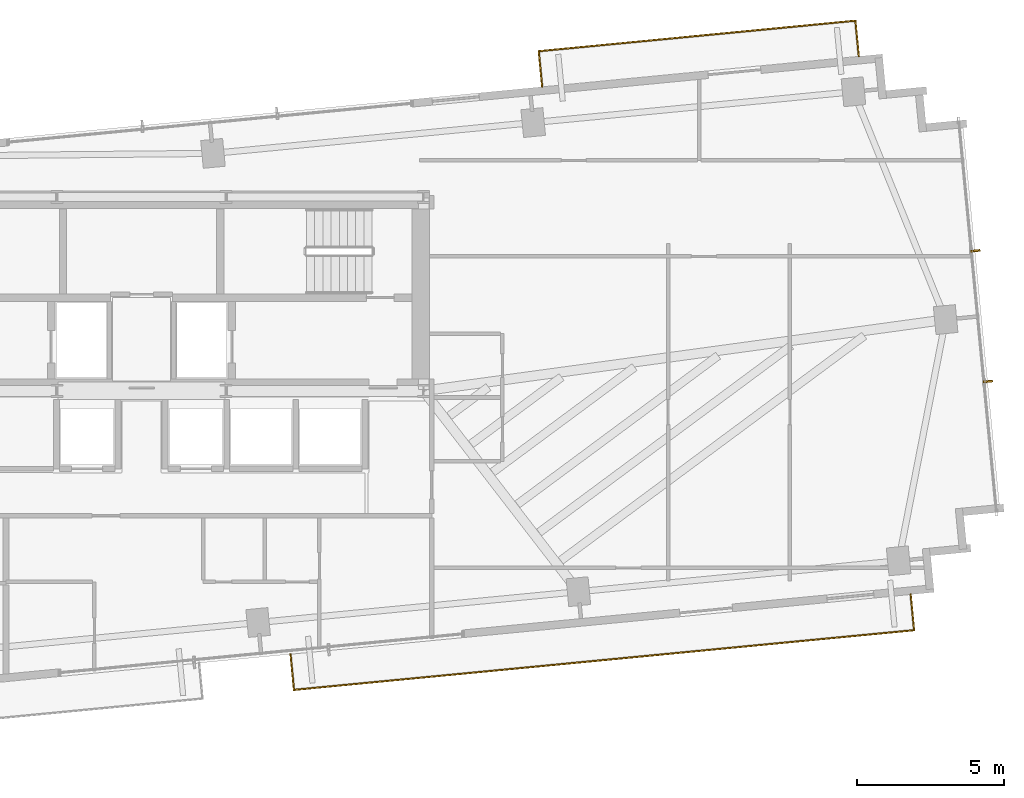
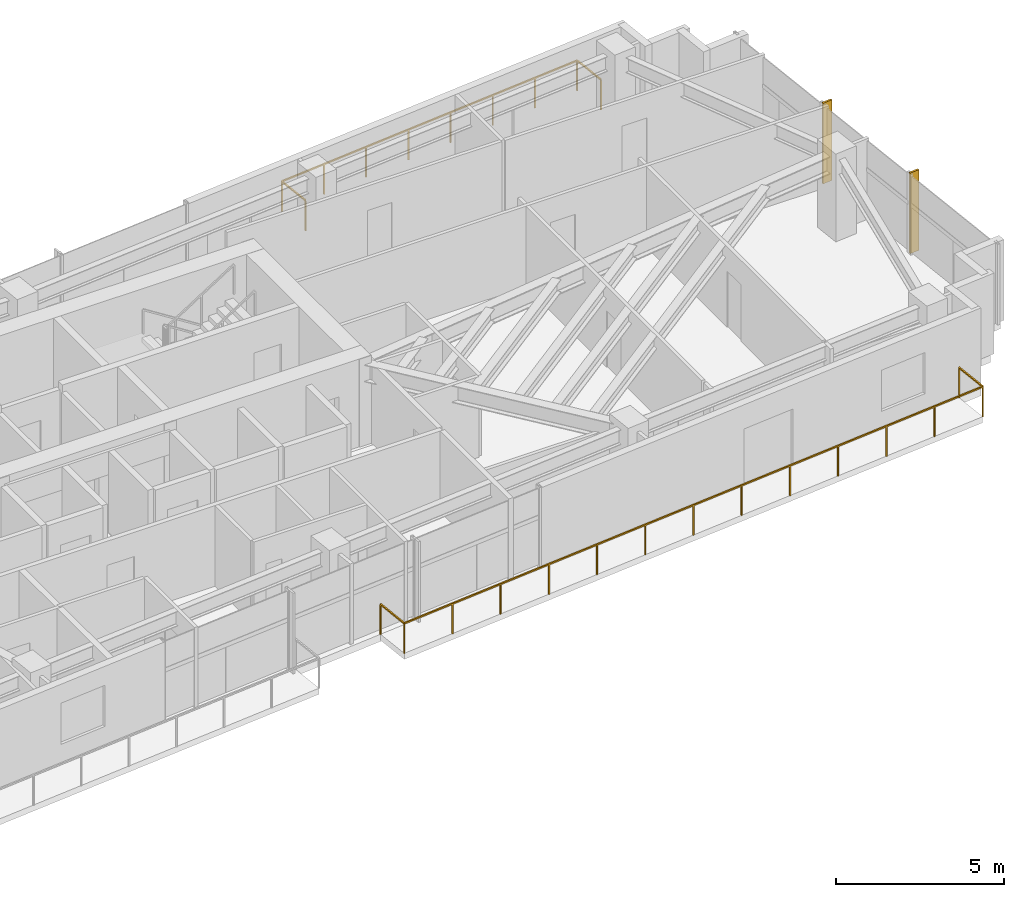
# One storey, part 18 of 18: 2 railings, 2 shading devices.
"""IFC4 building model written with IfcOpenShell, lengths in metres."""

from ifc_helpers import new_model, si_unit, direction, frame, origin, origin_2d, place, context, subcontext, project, spatial, rectangle, extrude, source, transform, mapped, material, type_object, type_shapes, element, save


model = new_model("IFC4")

# Units and contexts
model_context = context("Model", 3, precision=1e-05, world=origin(), true_north=direction((0.0, 1.0)))
body_context = subcontext(model_context, "Body", "Model", "MODEL_VIEW")
ifc_project = project(units=[si_unit("LENGTHUNIT", "METRE"), si_unit("AREAUNIT", "SQUARE_METRE"), si_unit("VOLUMEUNIT", "CUBIC_METRE"), si_unit("PLANEANGLEUNIT", "RADIAN"), si_unit("MASSUNIT", "GRAM", prefix="KILO")], contexts=[model_context])

# Site, building, storey
site_placement = place(None, origin())
site = spatial("IfcSite", under=ifc_project, at=site_placement, CompositionType="ELEMENT")
building_placement = place(site_placement, origin())
building = spatial("IfcBuilding", under=site, at=building_placement, Name="Astriad Promenade Condominiums", CompositionType="ELEMENT")
storey_placement = place(building_placement, frame((0.0, 0.0, 176.199951171875)))
storey = spatial("IfcBuildingStorey", under=building, at=storey_placement, Name="L50", CompositionType="ELEMENT", Elevation=176.199951171875)

# Shading devices
ifc_material_1 = material(Name="Anodised aluminium 6063-T6 Black Fin", Category="aluminium")
shading_device_type = type_object("IfcShadingDeviceType", Name="FIN-BLACK-260", PredefinedType="USERDEFINED", material=ifc_material_1)
shared_shape_1 = source(origin(), body_context, "Body", "SweptSolid", [
    extrude(rectangle(XDim=0.06494140625, YDim=0.320068359375, at=origin_2d()), origin(), (0.0, 0.0, 1.0), 2.93994140625),
])
type_shapes(shading_device_type, [shared_shape_1])
for number, where, z_axis, x_axis, name in (
    (1, (64.37841796875, 22.16796875, 0.0), (0.0, 0.0, 1.0), (0.09584575252, -0.995396198367, 0.0), "CW-L50-E-FIN-01"),
    (2, (64.806640625, 17.721923828125, 0.0), (0.0, 0.0, 1.0), (0.09584575252, -0.995396198367, 0.0), "CW-L50-E-FIN-02"),
):
    element("IfcShadingDevice", number, at=place(storey_placement, frame(where, z_axis=z_axis, x_axis=x_axis)), inside=storey, type_object=shading_device_type, Name=name, ObjectType="FIN", PredefinedType="USERDEFINED", context=body_context, shape_type="MappedRepresentation", body=[
        mapped(shared_shape_1, transform((0.0, 0.0, 0.0), scale=1.0)),
    ])

# Railings
ifc_material_2 = material(Name="Laminated Glass and Stainless Steel Balustrade", Category="steel")
railing_type = type_object("IfcRailingType", Name="GRD-BALC-1120", PredefinedType="BALUSTRADE", material=ifc_material_2)
shared_shape_2 = source(origin(), body_context, "Body", "SweptSolid", [
    extrude(rectangle(XDim=0.048095703125, YDim=0.048095703125, at=origin_2d()), frame((0.0, 0.0, 1.09619140625), z_axis=(0.095659020692, -0.99541416092, 0.0), x_axis=(0.99541416092, 0.095659020692, 0.0)), (0.0, 0.0, 1.0), 1.219970703125),
    extrude(rectangle(XDim=0.048095703125, YDim=0.048095703125, at=origin_2d()), frame((0.11669921875, -1.21435546875, 1.09619140625), z_axis=(0.995395094986, 0.095857210875, 0.0), x_axis=(-0.095857210875, 0.995395094986, 0.0)), (0.0, 0.0, 1.0), 21.203125),
    extrude(rectangle(XDim=0.048095703125, YDim=0.048095703125, at=origin_2d()), frame((21.22216796875, 0.818115234375, 1.09619140625), z_axis=(-0.095876405589, 0.995393246336, 0.0), x_axis=(-0.995393246336, -0.095876405589, 0.0)), (0.0, 0.0, 1.0), 1.2197265625),
    extrude(rectangle(XDim=0.0419921875, YDim=0.0419921875, at=origin_2d()), origin(), (0.0, 0.0, 1.0), 1.072021484375),
    extrude(rectangle(XDim=0.0419921875, YDim=0.0419921875, at=origin_2d()), frame((0.11669921875, -1.21435546875, 0.0)), (0.0, 0.0, 1.0), 1.072021484375),
    extrude(rectangle(XDim=0.0419921875, YDim=0.0419921875, at=origin_2d()), frame((1.87548828125, -1.044921875, 0.0)), (0.0, 0.0, 1.0), 1.072021484375),
    extrude(rectangle(XDim=0.0419921875, YDim=0.0419921875, at=origin_2d()), frame((3.63427734375, -0.87548828125, 0.0)), (0.0, 0.0, 1.0), 1.072021484375),
    extrude(rectangle(XDim=0.0419921875, YDim=0.0419921875, at=origin_2d()), frame((5.39306640625, -0.706298828125, 0.0)), (0.0, 0.0, 1.0), 1.072021484375),
    extrude(rectangle(XDim=0.0419921875, YDim=0.0419921875, at=origin_2d()), frame((7.15185546875, -0.536865234375, 0.0)), (0.0, 0.0, 1.0), 1.072021484375),
    extrude(rectangle(XDim=0.0419921875, YDim=0.0419921875, at=origin_2d()), frame((8.91064453125, -0.367431640625, 0.0)), (0.0, 0.0, 1.0), 1.072021484375),
    extrude(rectangle(XDim=0.0419921875, YDim=0.0419921875, at=origin_2d()), frame((10.66943359375, -0.1982421875, 0.0)), (0.0, 0.0, 1.0), 1.072021484375),
    extrude(rectangle(XDim=0.0419921875, YDim=0.0419921875, at=origin_2d()), frame((12.42822265625, -0.02880859375, 0.0)), (0.0, 0.0, 1.0), 1.072021484375),
    extrude(rectangle(XDim=0.0419921875, YDim=0.0419921875, at=origin_2d()), frame((14.18701171875, 0.140625, 0.0)), (0.0, 0.0, 1.0), 1.072021484375),
    extrude(rectangle(XDim=0.0419921875, YDim=0.0419921875, at=origin_2d()), frame((15.94580078125, 0.31005859375, 0.0)), (0.0, 0.0, 1.0), 1.072021484375),
    extrude(rectangle(XDim=0.0419921875, YDim=0.0419921875, at=origin_2d()), frame((17.70458984375, 0.4794921875, 0.0)), (0.0, 0.0, 1.0), 1.072021484375),
    extrude(rectangle(XDim=0.0419921875, YDim=0.0419921875, at=origin_2d()), frame((19.46337890625, 0.648681640625, 0.0)), (0.0, 0.0, 1.0), 1.072021484375),
    extrude(rectangle(XDim=0.0419921875, YDim=0.0419921875, at=origin_2d()), frame((21.22216796875, 0.818115234375, 0.0)), (0.0, 0.0, 1.0), 1.072021484375),
    extrude(rectangle(XDim=0.0419921875, YDim=0.0419921875, at=origin_2d()), frame((21.105224609375, 2.0322265625, 0.0)), (0.0, 0.0, 1.0), 1.072021484375),
])
railing_1_placement = place(storey_placement, frame((41.0712890625, 8.4375, 0.0)))
element("IfcRailing", 3, at=railing_1_placement, inside=storey, type_object=railing_type, Name="GRD-BALC-L50-SE", PredefinedType="BALUSTRADE", context=body_context, shape_type="MappedRepresentation", body=[
    mapped(shared_shape_2, transform((0.0, 0.0, 0.0), scale=1.0)),
])
shared_shape_3 = source(origin(), body_context, "Body", "SweptSolid", [
    extrude(rectangle(XDim=0.048095703125, YDim=0.048095703125, at=origin_2d()), frame((0.0, 0.0, 1.09619140625), z_axis=(-0.095857307208, 0.99539508571, 0.0), x_axis=(-0.99539508571, -0.095857307208, 0.0)), (0.0, 0.0, 1.0), 1.219970703125),
    extrude(rectangle(XDim=0.048095703125, YDim=0.048095703125, at=origin_2d()), frame((-0.116943359375, 1.21435546875, 1.09619140625), z_axis=(-0.995397454068, -0.095832710669, 0.0), x_axis=(0.095832710669, -0.995397454068, 0.0)), (0.0, 0.0, 1.0), 10.8271484375),
    extrude(rectangle(XDim=0.048095703125, YDim=0.048095703125, at=origin_2d()), frame((-10.894287109375, 0.1767578125, 1.09619140625), z_axis=(0.096036452752, -0.995377817586, 0.0), x_axis=(0.995377817586, 0.096036452752, 0.0)), (0.0, 0.0, 1.0), 1.22021484375),
    extrude(rectangle(XDim=0.0419921875, YDim=0.0419921875, at=origin_2d()), origin(), (0.0, 0.0, 1.0), 1.072021484375),
    extrude(rectangle(XDim=0.0419921875, YDim=0.0419921875, at=origin_2d()), frame((-0.116943359375, 1.21435546875, 0.0)), (0.0, 0.0, 1.0), 1.072021484375),
    extrude(rectangle(XDim=0.0419921875, YDim=0.0419921875, at=origin_2d()), frame((-1.656494140625, 1.066162109375, 0.0)), (0.0, 0.0, 1.0), 1.072021484375),
    extrude(rectangle(XDim=0.0419921875, YDim=0.0419921875, at=origin_2d()), frame((-3.1962890625, 0.91796875, 0.0)), (0.0, 0.0, 1.0), 1.072021484375),
    extrude(rectangle(XDim=0.0419921875, YDim=0.0419921875, at=origin_2d()), frame((-4.73583984375, 0.769775390625, 0.0)), (0.0, 0.0, 1.0), 1.072021484375),
    extrude(rectangle(XDim=0.0419921875, YDim=0.0419921875, at=origin_2d()), frame((-6.275390625, 0.621337890625, 0.0)), (0.0, 0.0, 1.0), 1.072021484375),
    extrude(rectangle(XDim=0.0419921875, YDim=0.0419921875, at=origin_2d()), frame((-7.81494140625, 0.47314453125, 0.0)), (0.0, 0.0, 1.0), 1.072021484375),
    extrude(rectangle(XDim=0.0419921875, YDim=0.0419921875, at=origin_2d()), frame((-9.354736328125, 0.324951171875, 0.0)), (0.0, 0.0, 1.0), 1.072021484375),
    extrude(rectangle(XDim=0.0419921875, YDim=0.0419921875, at=origin_2d()), frame((-10.894287109375, 0.1767578125, 0.0)), (0.0, 0.0, 1.0), 1.072021484375),
    extrude(rectangle(XDim=0.0419921875, YDim=0.0419921875, at=origin_2d()), frame((-10.777099609375, -1.037841796875, 0.0)), (0.0, 0.0, 1.0), 1.072021484375),
])
type_shapes(railing_type, [shared_shape_2, shared_shape_3])
railing_2_placement = place(storey_placement, frame((60.4130859375, 28.78515625, 0.0)))
element("IfcRailing", 4, at=railing_2_placement, inside=storey, type_object=railing_type, Name="GRD-BALC-L50-NE", PredefinedType="BALUSTRADE", context=body_context, shape_type="MappedRepresentation", body=[
    mapped(shared_shape_3, transform((0.0, 0.0, 0.0), scale=1.0)),
])

save(model, "model.ifc")
